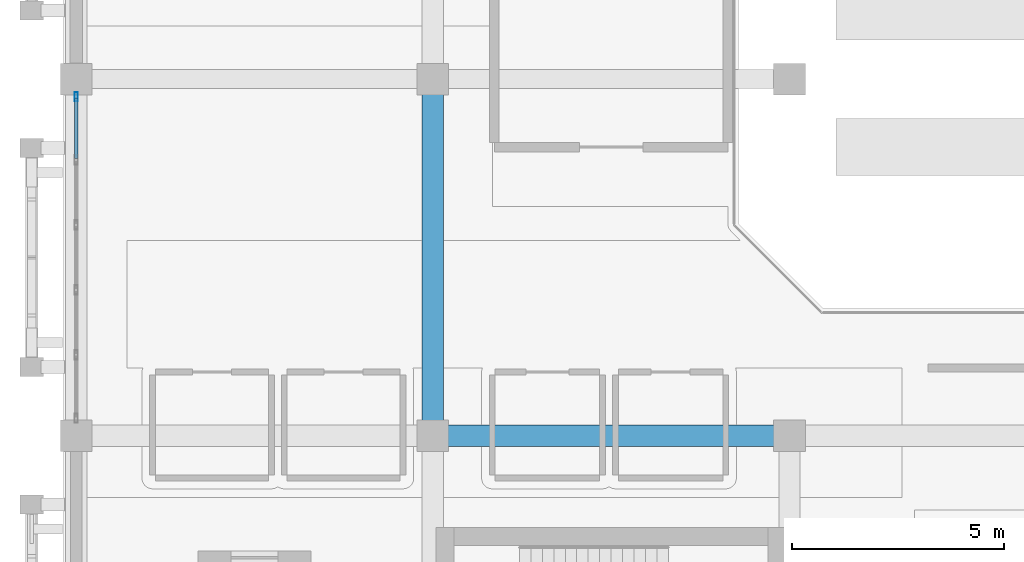
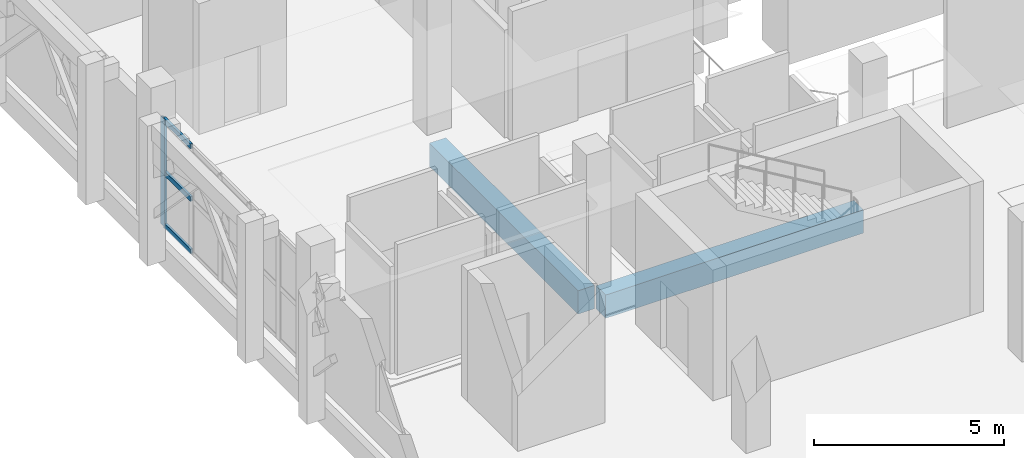
# One storey, part 8 of 34: 4 members, 2 beams, 1 element without a shape of its own.
"""IFC4 building model written with IfcOpenShell, lengths in metres."""

import ifcopenshell
import ifcopenshell.guid

model = None  # the IFC model being written
_history = None  # IfcOwnerHistory: only IFC2X3 demands one
_inside = {}  # id of a spatial element -> (the spatial element, [elements in it])
_under = {}  # id of a project, library or spatial element -> (it, [spatial elements below it])
_declared = {}  # id of a project -> (the project, [libraries it declares])
_typed = {}  # id of a type object -> (the type object, [elements of that type])
_made_of = {}  # id of a material, layer set ... -> (it, [elements and type objects made of it])


def new_model(schema):
    """Start an empty IFC model of exactly this schema.

    Asked for "IFC4X3", IfcOpenShell would pick the latest addendum, in which some entities
    have other attributes; the version numbers below select the first issue.
    IFC2X3 requires an IfcOwnerHistory on every rooted entity: one is made here for all.
    """
    global model, _history
    if schema == "IFC4X3":
        model = ifcopenshell.file(schema_version=(4, 3, 0, 0))
    else:
        model = ifcopenshell.file(schema=schema)
    _inside.clear()
    _under.clear()
    _declared.clear()
    _typed.clear()
    _made_of.clear()
    _history = None
    if model.schema == "IFC2X3":
        org = make("IfcOrganization", Name="unknown")
        user = make(
            "IfcPersonAndOrganization",
            ThePerson=make("IfcPerson", FamilyName="unknown"),
            TheOrganization=org,
        )
        app = make(
            "IfcApplication",
            ApplicationDeveloper=org,
            Version="unknown",
            ApplicationFullName="unknown",
            ApplicationIdentifier="unknown",
        )
        _history = make(
            "IfcOwnerHistory",
            OwningUser=user,
            OwningApplication=app,
            ChangeAction="ADDED",
            CreationDate=0,
        )
    return model


def make(cls, **values):
    """One entity of the class cls with the attributes given. An attribute that is None is left unset."""
    return model.create_entity(
        cls, **{name: value for name, value in values.items() if value is not None}
    )


def rooted(cls, **values):
    """An entity with a GlobalId (a new one), such as an element, a storey or a relation."""
    return make(cls, GlobalId=ifcopenshell.guid.new(), OwnerHistory=_history, **values)


def si_unit(unit_type, name, prefix=None):
    """IfcSIUnit, for example si_unit("LENGTHUNIT", "METRE", prefix="MILLI")."""
    return make("IfcSIUnit", UnitType=unit_type, Prefix=prefix, Name=name)


def assignment(units):
    """IfcUnitAssignment: the units of a project."""
    return None if units is None else make("IfcUnitAssignment", Units=units)


def point(xyz):
    """IfcCartesianPoint."""
    return None if xyz is None else make("IfcCartesianPoint", Coordinates=xyz)


def direction(xyz):
    """IfcDirection."""
    return None if xyz is None else make("IfcDirection", DirectionRatios=xyz)


def frame(location, z_axis=None, x_axis=None):
    """IfcAxis2Placement3D, a coordinate frame: its origin and axes. An axis left out is left unset."""
    return make(
        "IfcAxis2Placement3D",
        Location=point(location),
        Axis=direction(z_axis),
        RefDirection=direction(x_axis),
    )


def frame_2d(location, x_axis=None):
    """IfcAxis2Placement2D, a coordinate frame in the plane: its origin and x axis."""
    return make(
        "IfcAxis2Placement2D", Location=point(location), RefDirection=direction(x_axis)
    )


def origin():
    """The frame at (0, 0, 0) with its axes left unset."""
    return frame((0.0, 0.0, 0.0))


def origin_2d():
    """The frame at (0, 0) in the plane with its x axis left unset."""
    return frame_2d((0.0, 0.0))


def place(relative_to, where):
    """IfcLocalPlacement: puts the frame where relative to a parent placement (None: the world)."""
    return make(
        "IfcLocalPlacement", PlacementRelTo=relative_to, RelativePlacement=where
    )


def context(
    kind, dimensions, precision=None, world=None, true_north=None, identifier=None
):
    """IfcGeometricRepresentationContext, for example the 3D "Model" context."""
    return make(
        "IfcGeometricRepresentationContext",
        ContextIdentifier=identifier,
        ContextType=kind,
        CoordinateSpaceDimension=dimensions,
        Precision=precision,
        WorldCoordinateSystem=world,
        TrueNorth=true_north,
    )


def subcontext(parent, identifier, kind, view, scale=None):
    """IfcGeometricRepresentationSubContext, for example "Body" below "Model"."""
    return make(
        "IfcGeometricRepresentationSubContext",
        ContextIdentifier=identifier,
        ContextType=kind,
        ParentContext=parent,
        TargetScale=scale,
        TargetView=view,
    )


def project(units=None, contexts=None):
    """IfcProject with its units and contexts."""
    return rooted(
        "IfcProject",
        Name="project",
        RepresentationContexts=contexts,
        UnitsInContext=assignment(units),
    )


def spatial(cls, under=None, at=None, **own):
    """A site, building, storey or space (cls), placed at a placement, below another one or the project."""
    s = rooted(cls, ObjectPlacement=at, **own)
    if under is not None:
        _under.setdefault(under.id(), (under, []))[1].append(s)
    return s


def profile(cls, at=None, kind="AREA", **sizes):
    """A parametric profile (cls). Its sizes go by their IFC names, for example OverallWidth=200.0."""
    return make(cls, ProfileType=kind, Position=at, **sizes)


def rectangle(**sizes):
    """IfcRectangleProfileDef."""
    return profile("IfcRectangleProfileDef", **sizes)


def hollow_rectangle(**sizes):
    """IfcRectangleHollowProfileDef."""
    return profile("IfcRectangleHollowProfileDef", **sizes)


def extrude(swept, where, along, depth):
    """IfcExtrudedAreaSolid: the profile swept, set in the frame where, extruded along a direction by depth."""
    return make(
        "IfcExtrudedAreaSolid",
        SweptArea=swept,
        Position=where,
        ExtrudedDirection=direction(along),
        Depth=depth,
    )


def shape(context_of_items, identifier, shape_type, items):
    """IfcShapeRepresentation: the items that make up one representation, for example the "Body"."""
    return make(
        "IfcShapeRepresentation",
        ContextOfItems=context_of_items,
        RepresentationIdentifier=identifier,
        RepresentationType=shape_type,
        Items=items,
    )


def material(Name=None, Category=None):
    """IfcMaterial."""
    return make("IfcMaterial", Name=Name, Category=Category)


def layer(
    of_material, thickness, ventilated=None, Name=None, Category=None, Priority=None
):
    """IfcMaterialLayer: one layer of a wall or slab, of a material (None: an air gap)."""
    return make(
        "IfcMaterialLayer",
        Material=of_material,
        LayerThickness=thickness,
        IsVentilated=ventilated,
        Name=Name,
        Category=Category,
        Priority=Priority,
    )


def layer_set(layers, Name=None):
    """IfcMaterialLayerSet."""
    return make("IfcMaterialLayerSet", MaterialLayers=layers, LayerSetName=Name)


def material_profile(
    of_material, cross_section, Name=None, Category=None, Priority=None
):
    """IfcMaterialProfile: a cross section and its material."""
    return make(
        "IfcMaterialProfile",
        Name=Name,
        Material=of_material,
        Profile=cross_section,
        Priority=Priority,
        Category=Category,
    )


def profile_set(profiles, Name=None, composite=None):
    """IfcMaterialProfileSet."""
    return make(
        "IfcMaterialProfileSet",
        Name=Name,
        MaterialProfiles=profiles,
        CompositeProfile=composite,
    )


def made_of(thing, what):
    """Note that an element or type object is made of a material, layer set ...; save() writes the relation."""
    if what is not None:
        _made_of.setdefault(what.id(), (what, []))[1].append(thing)
    return thing


def type_object(cls, material=None, **own):
    """A type object (cls), such as IfcWallType, which elements share."""
    return made_of(rooted(cls, **own), material)


def element(
    cls,
    number,
    at=None,
    inside=None,
    cuts=None,
    type_object=None,
    material=None,
    context=None,
    identifier="Body",
    shape_type=None,
    held_by="IfcProductDefinitionShape",
    body=None,
    shapes=None,
    **own,
):
    """One element of the class cls, such as IfcWall. Its Tag is "e" and its number.

    at: its placement. inside: the storey or other place that contains it. cuts: it is an
    opening in that element (IfcRelVoidsElement). A single representation is given by context,
    identifier, shape_type and body (its items); several are given by shapes. held_by: the class
    of the entity that holds the representations. save() writes the other relations.
    """
    e = rooted(cls, Tag="e%d" % number, ObjectPlacement=at, **own)
    if body is not None:
        shapes = [shape(context, identifier, shape_type, body)]
    if shapes is not None:
        e.Representation = make(held_by, Representations=shapes)
    if inside is not None:
        _inside.setdefault(inside.id(), (inside, []))[1].append(e)
    if cuts is not None:
        rooted(
            "IfcRelVoidsElement", RelatingBuildingElement=cuts, RelatedOpeningElement=e
        )
    if type_object is not None:
        _typed.setdefault(type_object.id(), (type_object, []))[1].append(e)
    return made_of(e, material)


def aggregate(whole, parts):
    """IfcRelAggregates: a whole, such as a stair, and the parts it consists of."""
    return rooted("IfcRelAggregates", RelatingObject=whole, RelatedObjects=parts)


def save(model, path):
    """Write the relations noted so far, then the file.

    IfcRelAggregates (storeys below a building ...), IfcRelContainedInSpatialStructure (elements
    in a storey), IfcRelDefinesByType, IfcRelAssociatesMaterial and IfcRelDeclares: one each for
    every whole, place, type object, material and project.
    """
    for whole, parts in _under.values():
        aggregate(whole, parts)
    for where, things in _inside.values():
        rooted(
            "IfcRelContainedInSpatialStructure",
            RelatedElements=things,
            RelatingStructure=where,
        )
    for kind, things in _typed.values():
        rooted("IfcRelDefinesByType", RelatedObjects=things, RelatingType=kind)
    for what, things in _made_of.values():
        rooted("IfcRelAssociatesMaterial", RelatedObjects=things, RelatingMaterial=what)
    for by, libraries in _declared.values():
        rooted("IfcRelDeclares", RelatingContext=by, RelatedDefinitions=libraries)
    model.write(path)


model = new_model("IFC4")

# Units and contexts
model_context = context("Model", 3, precision=1e-05, world=origin(), true_north=direction((0.0, 1.0)))
body_context = subcontext(model_context, "Body", "Model", "MODEL_VIEW")
ifc_project = project(units=[si_unit("LENGTHUNIT", "METRE"), si_unit("AREAUNIT", "SQUARE_METRE"), si_unit("VOLUMEUNIT", "CUBIC_METRE"), si_unit("PLANEANGLEUNIT", "RADIAN"), si_unit("MASSUNIT", "GRAM", prefix="KILO")], contexts=[model_context])

# Site, building, storey
site_placement = place(None, origin())
site = spatial("IfcSite", under=ifc_project, at=site_placement, CompositionType="ELEMENT")
building_placement = place(site_placement, origin())
building = spatial("IfcBuilding", under=site, at=building_placement, Name="Xazarin Passage Department Store", CompositionType="ELEMENT")
storey_placement = place(building_placement, frame((0.0, 0.0, 18.89990234375)))
storey = spatial("IfcBuildingStorey", under=building, at=storey_placement, Name="L04", CompositionType="ELEMENT", Elevation=18.89990234375)

# Curtain wall, members
ifc_material_1 = material(Name="Bronze anodised aluminium", Category="aluminium")
ifc_layer = layer(ifc_material_1, 0.199951171875)
ifc_layer_set = layer_set([ifc_layer], Name="Bronze anodised aluminium")
curtain_wall_type = type_object("IfcCurtainWallType", Name="ARC-CW-VIT2", PredefinedType="NOTDEFINED", material=ifc_layer_set)
curtain_wall_placement = place(storey_placement, origin())
curtain_wall = element("IfcCurtainWall", 1, at=curtain_wall_placement, inside=storey, type_object=curtain_wall_type, Name="L04 V1 Curtain Wall 073", PredefinedType="NOTDEFINED")
ifc_material_profile_1 = material_profile(ifc_material_1, hollow_rectangle(XDim=0.074951171875, YDim=0.219970703125, WallThickness=0.0048828125, at=origin_2d()), Name="ALU 75x220")
ifc_profile_set_1 = profile_set([ifc_material_profile_1], Name="Bronze anodised aluminium")
member_type_1 = type_object("IfcMemberType", Name="ARC-CWM-75x220", PredefinedType="MULLION", material=ifc_profile_set_1)
member_1_placement = place(storey_placement, frame((0.0, 92.78759765625, 0.0), z_axis=(0.0, 0.0, 1.0), x_axis=(-1.0, 0.0, 0.0)))
member_1 = element("IfcMember", 2, at=member_1_placement, type_object=member_type_1, Name="CW2 mullion 6", PredefinedType="MULLION", context=body_context, shape_type="SweptSolid", body=[
    extrude(hollow_rectangle(XDim=0.074951171875, YDim=0.219970703125, WallThickness=0.0048828125, at=origin_2d()), origin(), (0.0, 0.0, 1.0), 3.4501953125),
])
ifc_material_profile_2 = material_profile(ifc_material_1, hollow_rectangle(XDim=0.074951171875, YDim=0.159912109375, WallThickness=0.00439453125, at=origin_2d()), Name="ALU 75x160")
ifc_profile_set_2 = profile_set([ifc_material_profile_2], Name="Bronze anodised aluminium")
member_type_2 = type_object("IfcMemberType", Name="ARC-CWT-75x160", PredefinedType="USERDEFINED", material=ifc_profile_set_2)
member_2_placement = place(storey_placement, frame((0.0, 91.33251953125, 0.03759765625), z_axis=(0.0, 1.0, 0.0), x_axis=(-1.0, 0.0, 0.0)))
member_2 = element("IfcMember", 3, at=member_2_placement, type_object=member_type_2, Name="CW2 transom 5.1", ObjectType="TRANSOM", PredefinedType="USERDEFINED", context=body_context, shape_type="SweptSolid", body=[
    extrude(hollow_rectangle(XDim=0.074951171875, YDim=0.159912109375, WallThickness=0.00439453125, at=origin_2d()), origin(), (0.0, 0.0, 1.0), 1.41748046875),
])
member_3_placement = place(storey_placement, frame((0.0, 91.33251953125, 1.72509765625), z_axis=(0.0, 1.0, 0.0), x_axis=(-1.0, 0.0, 0.0)))
member_3 = element("IfcMember", 4, at=member_3_placement, type_object=member_type_2, Name="CW2 transom 5.2", ObjectType="TRANSOM", PredefinedType="USERDEFINED", context=body_context, shape_type="SweptSolid", body=[
    extrude(hollow_rectangle(XDim=0.074951171875, YDim=0.159912109375, WallThickness=0.00439453125, at=origin_2d()), origin(), (0.0, 0.0, 1.0), 1.41748046875),
])
member_4_placement = place(storey_placement, frame((0.0, 91.33251953125, 3.41259765625), z_axis=(0.0, 1.0, 0.0), x_axis=(-1.0, 0.0, 0.0)))
member_4 = element("IfcMember", 5, at=member_4_placement, type_object=member_type_2, Name="CW2 transom 5.3", ObjectType="TRANSOM", PredefinedType="USERDEFINED", context=body_context, shape_type="SweptSolid", body=[
    extrude(hollow_rectangle(XDim=0.074951171875, YDim=0.159912109375, WallThickness=0.00439453125, at=origin_2d()), origin(), (0.0, 0.0, 1.0), 1.41748046875),
])
aggregate(curtain_wall, [member_1, member_2, member_3, member_4])

# Beams
ifc_material_2 = material(Name="Concrete C35/45", Category="concrete")
ifc_material_profile_3 = material_profile(ifc_material_2, rectangle(XDim=0.5, YDim=0.75, at=origin_2d()), Name="RC 500x750")
ifc_profile_set_3 = profile_set([ifc_material_profile_3], Name="Concrete C35/45")
beam_type = type_object("IfcBeamType", Name="STR-BM-SP500x750", PredefinedType="SPANDREL", material=ifc_profile_set_3)
beam_1_placement = place(storey_placement, frame((8.679931640625, 84.800048828125, -0.6748046875), z_axis=(1.0, 0.0, 0.0), x_axis=(0.0, 1.0, 0.0)))
element("IfcBeam", 6, at=beam_1_placement, inside=storey, type_object=beam_type, Name="L04 Grid Beam M/2-3", PredefinedType="SPANDREL", context=body_context, shape_type="SweptSolid", body=[
    extrude(rectangle(XDim=0.5, YDim=0.75, at=origin_2d()), origin(), (0.0, 0.0, 1.0), 7.840087890625),
])
beam_2_placement = place(storey_placement, frame((8.39990234375, 85.080078125, -0.6748046875), z_axis=(0.0, 1.0, 0.0), x_axis=(-1.0, 0.0, 0.0)))
element("IfcBeam", 7, at=beam_2_placement, inside=storey, type_object=beam_type, Name="L04 Grid Beam 2/M-N", PredefinedType="SPANDREL", context=body_context, shape_type="SweptSolid", body=[
    extrude(rectangle(XDim=0.5, YDim=0.75, at=origin_2d()), origin(), (0.0, 0.0, 1.0), 7.83984375),
])

save(model, "model.ifc")
